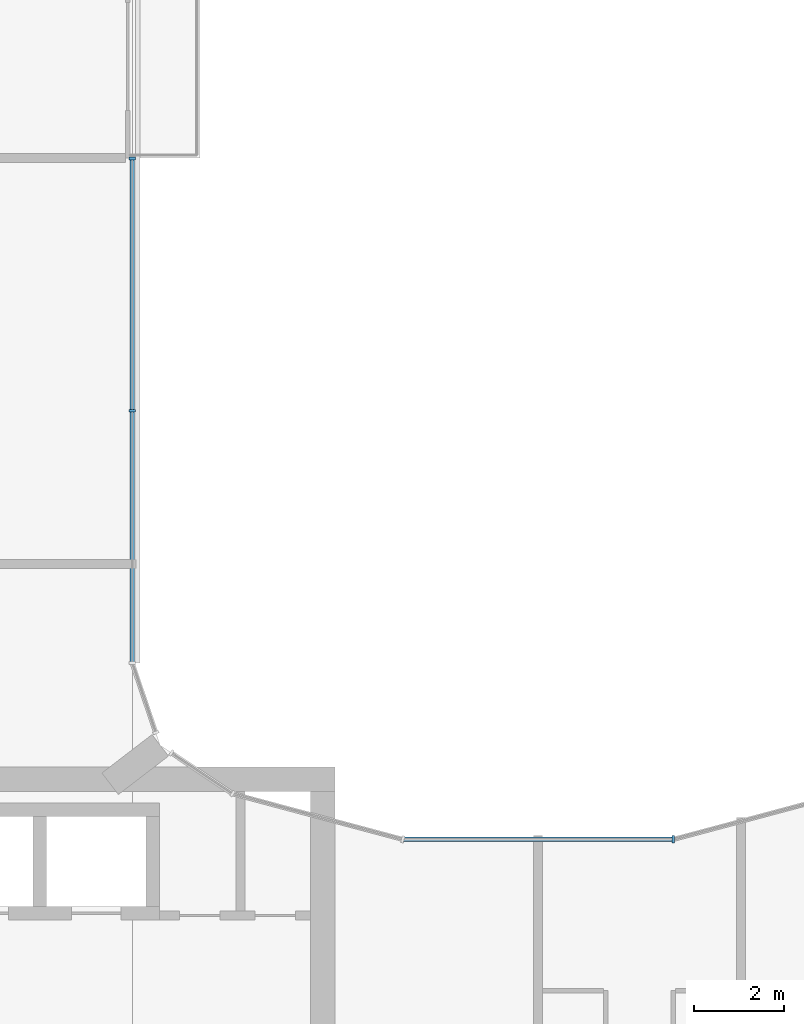
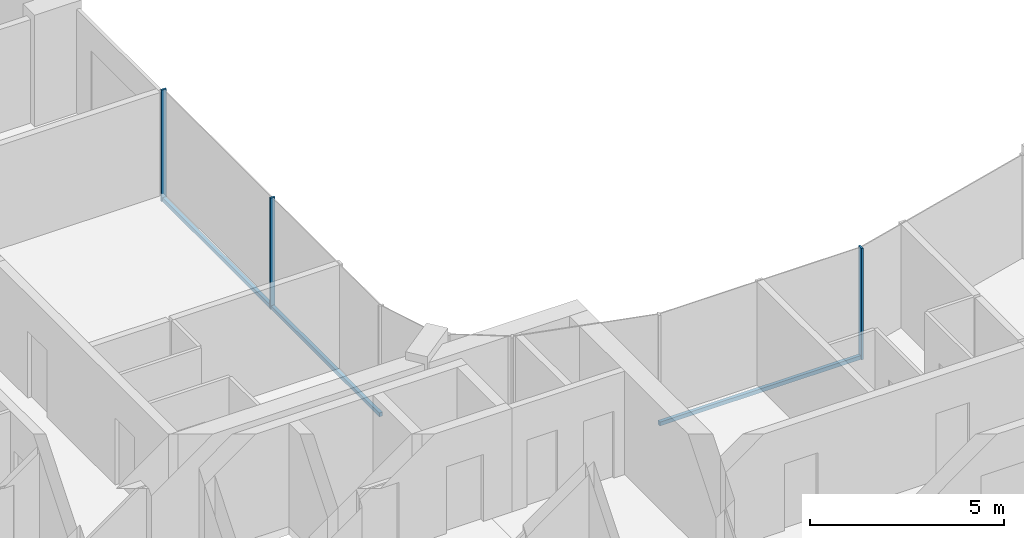
# One storey, part 5 of 15: 5 members, 2 elements without a shape of their own.
"""IFC4 building model written with IfcOpenShell, lengths in metres."""

from ifc_helpers import new_model, si_unit, direction, frame, origin, origin_2d, place, context, subcontext, project, spatial, rectangle, extrude, material, layer, layer_set, material_profile, profile_set, type_object, element, aggregate, save


model = new_model("IFC4")

# Units and contexts
model_context = context("Model", 3, precision=1e-05, world=origin(), true_north=direction((0.0, 1.0)))
body_context = subcontext(model_context, "Body", "Model", "MODEL_VIEW")
ifc_project = project(units=[si_unit("LENGTHUNIT", "METRE"), si_unit("AREAUNIT", "SQUARE_METRE"), si_unit("VOLUMEUNIT", "CUBIC_METRE"), si_unit("PLANEANGLEUNIT", "RADIAN"), si_unit("MASSUNIT", "GRAM", prefix="KILO")], contexts=[model_context])

# Site, building, storey
site_placement = place(None, origin())
site = spatial("IfcSite", under=ifc_project, at=site_placement, CompositionType="ELEMENT")
building_placement = place(site_placement, origin())
building = spatial("IfcBuilding", under=site, at=building_placement, Name="Plateau Cross Towers", CompositionType="ELEMENT")
storey_placement = place(building_placement, frame((0.0, 0.0, 194.39990234375)))
storey = spatial("IfcBuildingStorey", under=building, at=storey_placement, Name="L50", CompositionType="ELEMENT", Elevation=194.39990234375)

# Curtain wall, members
ifc_material_1 = material(Name="Dark low-iron glass", Category="glass")
ifc_layer_1 = layer(ifc_material_1, 0.239990234375)
ifc_layer_set_1 = layer_set([ifc_layer_1], Name="Dark low-iron glass")
curtain_wall_type_1 = type_object("IfcCurtainWallType", Name="Curtain wall flush unitised CW-B", PredefinedType="NOTDEFINED", material=ifc_layer_set_1)
curtain_wall_1_placement = place(storey_placement, origin())
curtain_wall_1 = element("IfcCurtainWall", 1, at=curtain_wall_1_placement, inside=storey, type_object=curtain_wall_type_1, Name="ENV/A/L50/A180_203", PredefinedType="NOTDEFINED")
ifc_material_2 = material(Name="Black anodised aluminium", Category="aluminium")
ifc_material_profile_1 = material_profile(ifc_material_2, rectangle(XDim=0.06005859375, YDim=0.139892578125, at=origin_2d()), Name="MULLION 60x140")
ifc_profile_set_1 = profile_set([ifc_material_profile_1], Name="Black anodised aluminium")
member_type_1 = type_object("IfcMemberType", Name="Mullion 60x140 flush unitised", PredefinedType="MULLION", material=ifc_profile_set_1)
member_1_placement = place(storey_placement, frame((18.0, 25.896240234375, -0.25), z_axis=(0.0, 0.0, 1.0), x_axis=(0.0, 1.0, 0.0)))
member_1 = element("IfcMember", 2, at=member_1_placement, type_object=member_type_1, Name="CW-B mullion 2", PredefinedType="MULLION", context=body_context, shape_type="SweptSolid", body=[
    extrude(rectangle(XDim=0.06005859375, YDim=0.139892578125, at=origin_2d()), origin(), (0.0, 0.0, 1.0), 3.5),
])
member_2_placement = place(storey_placement, frame((18.0, 31.489990234375, -0.25), z_axis=(0.0, 0.0, 1.0), x_axis=(0.0, 1.0, 0.0)))
member_2 = element("IfcMember", 3, at=member_2_placement, type_object=member_type_1, Name="CW-B mullion 3", PredefinedType="MULLION", context=body_context, shape_type="SweptSolid", body=[
    extrude(rectangle(XDim=0.06005859375, YDim=0.139892578125, at=origin_2d()), origin(), (0.0, 0.0, 1.0), 3.5),
])

# Curtain wall, member
ifc_layer_2 = layer(ifc_material_1, 0.260009765625)
ifc_layer_set_2 = layer_set([ifc_layer_2], Name="Dark low-iron glass")
curtain_wall_type_2 = type_object("IfcCurtainWallType", Name="Curtain wall fluted unitised CW-A", PredefinedType="NOTDEFINED", material=ifc_layer_set_2)
curtain_wall_2_placement = place(storey_placement, origin())
curtain_wall_2 = element("IfcCurtainWall", 4, at=curtain_wall_2_placement, inside=storey, type_object=curtain_wall_type_2, Name="ENV/A/L50/A300_164", PredefinedType="NOTDEFINED")
ifc_material_profile_2 = material_profile(ifc_material_2, rectangle(XDim=0.06005859375, YDim=0.159912109375, at=origin_2d()), Name="MULLION 60x160")
ifc_profile_set_2 = profile_set([ifc_material_profile_2], Name="Black anodised aluminium")
member_type_2 = type_object("IfcMemberType", Name="Mullion 60x160 fluted unitised", PredefinedType="MULLION", material=ifc_profile_set_2)
member_3_placement = place(storey_placement, frame((30.0, 16.39306640625, -0.25), z_axis=(0.0, 0.0, 1.0), x_axis=(-1.0, 0.0, 0.0)))
member_3 = element("IfcMember", 5, at=member_3_placement, type_object=member_type_2, Name="CW-A mullion 1", PredefinedType="MULLION", context=body_context, shape_type="SweptSolid", body=[
    extrude(rectangle(XDim=0.06005859375, YDim=0.159912109375, at=origin_2d()), origin(), (0.0, 0.0, 1.0), 3.5),
])

# Member
ifc_material_profile_3 = material_profile(ifc_material_2, rectangle(XDim=0.10009765625, YDim=0.1201171875, at=origin_2d()), Name="TRANSOM 100x120")
ifc_profile_set_3 = profile_set([ifc_material_profile_3], Name="Black anodised aluminium")
member_type_3 = type_object("IfcMemberType", Name="Transom 100x120 flush unitised", PredefinedType="USERDEFINED", material=ifc_profile_set_3)
member_4_placement = place(storey_placement, frame((18.0, 20.30224609375, -0.18994140625), z_axis=(0.0, 1.0, 0.0), x_axis=(-1.0, 0.0, 0.0)))
member_4 = element("IfcMember", 6, at=member_4_placement, type_object=member_type_3, Name="CW-B transom", ObjectType="TRANSOM", PredefinedType="USERDEFINED", context=body_context, shape_type="SweptSolid", body=[
    extrude(rectangle(XDim=0.10009765625, YDim=0.1201171875, at=origin_2d()), origin(), (0.0, 0.0, 1.0), 11.187744140625),
])

aggregate(curtain_wall_1, [member_1, member_2, member_4])

ifc_material_profile_4 = material_profile(ifc_material_2, rectangle(XDim=0.10009765625, YDim=0.1201171875, at=origin_2d()), Name="TRANSOM 100x120")
ifc_profile_set_4 = profile_set([ifc_material_profile_4], Name="Black anodised aluminium")
member_type_4 = type_object("IfcMemberType", Name="Transom 100x120 fluted unitised", PredefinedType="USERDEFINED", material=ifc_profile_set_4)
member_5_placement = place(storey_placement, frame((30.0, 16.39306640625, -0.18994140625), z_axis=(-1.0, 0.0, 0.0), x_axis=(0.0, -1.0, 0.0)))
member_5 = element("IfcMember", 7, at=member_5_placement, type_object=member_type_4, Name="CW-A transom", ObjectType="TRANSOM", PredefinedType="USERDEFINED", context=body_context, shape_type="SweptSolid", body=[
    extrude(rectangle(XDim=0.10009765625, YDim=0.1201171875, at=origin_2d()), origin(), (0.0, 0.0, 1.0), 6.0),
])

aggregate(curtain_wall_2, [member_3, member_5])

save(model, "model.ifc")
